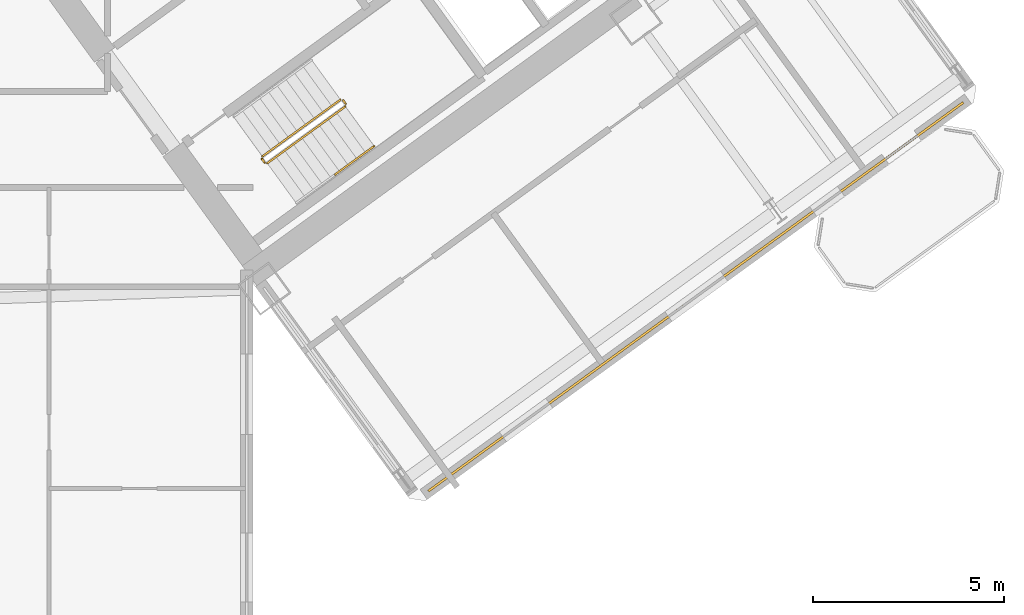
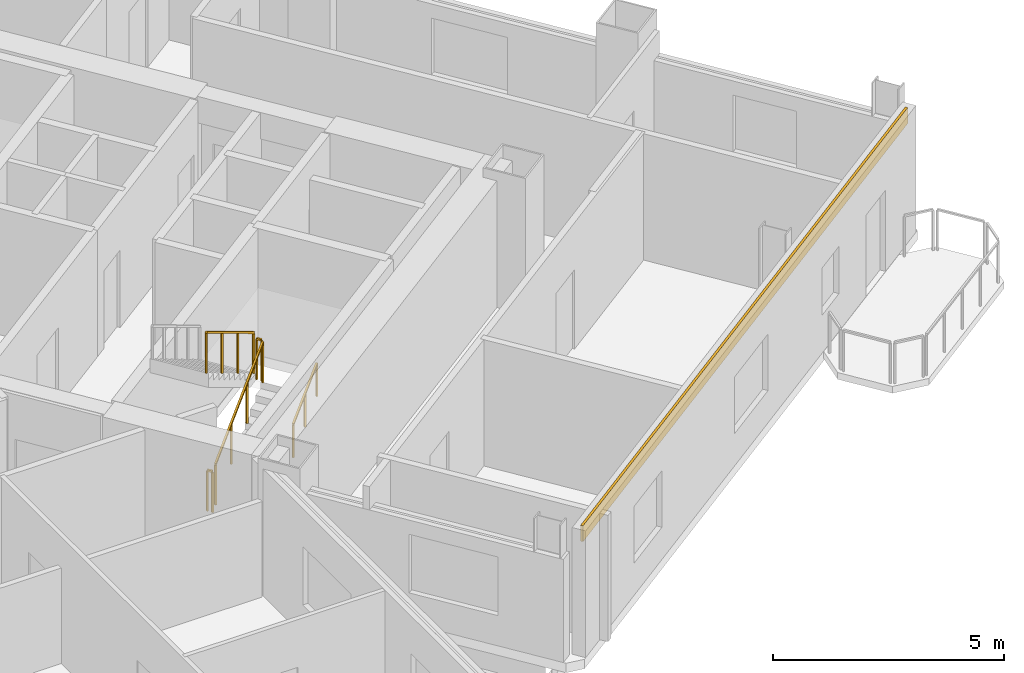
# One storey, part 26 of 28: 5 railings, 1 covering.
"""IFC4 building model written with IfcOpenShell, lengths in metres."""

from ifc_helpers import new_model, si_unit, direction, frame, origin, origin_2d, place, context, subcontext, project, spatial, rectangle, extrude, source, transform, mapped, material, layer, layer_set, type_object, element, save


model = new_model("IFC4")

# Units and contexts
model_context = context("Model", 3, precision=1e-05, world=origin(), true_north=direction((0.0, 1.0)))
body_context = subcontext(model_context, "Body", "Model", "MODEL_VIEW")
ifc_project = project(units=[si_unit("LENGTHUNIT", "METRE"), si_unit("AREAUNIT", "SQUARE_METRE"), si_unit("VOLUMEUNIT", "CUBIC_METRE"), si_unit("PLANEANGLEUNIT", "RADIAN"), si_unit("MASSUNIT", "GRAM", prefix="KILO")], contexts=[model_context])

# Site, building, storey
site_placement = place(None, origin())
site = spatial("IfcSite", under=ifc_project, at=site_placement, CompositionType="ELEMENT")
building_placement = place(site_placement, origin())
building = spatial("IfcBuilding", under=site, at=building_placement, Name="Tlacorven Tower", CompositionType="ELEMENT")
storey_placement = place(building_placement, frame((0.0, 0.0, 34.800048828125)))
storey = spatial("IfcBuildingStorey", under=building, at=storey_placement, Name="L08", CompositionType="ELEMENT", Elevation=34.800048828125)

# Covering
ifc_material_1 = material(Name="Precast concrete C45/55", Category="concrete")
ifc_layer = layer(ifc_material_1, 0.06005859375)
ifc_layer_set = layer_set([ifc_layer], Name="Precast concrete C45/55")
covering_type = type_object("IfcCoveringType", Name="CV-CLD-TERC", PredefinedType="CLADDING", material=ifc_layer_set)
shared_shape_1 = source(origin(), body_context, "Body", "SweptSolid", [
    extrude(rectangle(XDim=17.287353515625, YDim=0.06005859375, at=origin_2d()), origin(), (0.0, 0.0, 1.0), 0.419921875),
])
covering_placement = place(storey_placement, frame((63.9833984375, 12.562255859375, 2.929931640625), z_axis=(0.0, 0.0, 1.0), x_axis=(-0.809017097486, -0.587785110372, 0.0)))
element("IfcCovering", 1, at=covering_placement, inside=storey, type_object=covering_type, Name="L08 Masonry-Frame Spandrel Cladding 6", PredefinedType="CLADDING", context=body_context, shape_type="MappedRepresentation", body=[
    mapped(shared_shape_1, transform((0.0, 0.0, 0.0), scale=1.0)),
])

# Railings
ifc_material_2 = material(Name="Aluminium and painted steel balustrade", Category="steel")
railing_type_1 = type_object("IfcRailingType", Name="RL-GRD-1100", PredefinedType="GUARDRAIL", material=ifc_material_2)
shared_shape_2 = source(origin(), body_context, "Body", "SweptSolid", [
    extrude(rectangle(XDim=0.048095703125, YDim=0.048095703125, at=origin_2d()), frame((0.0, 0.0, 1.076171875), z_axis=(-0.587567097037, 0.809175448515, 0.0), x_axis=(-0.809175448515, -0.587567097037, 0.0)), (0.0, 0.0, 1.0), 0.1201171875),
    extrude(rectangle(XDim=0.0419921875, YDim=0.0419921875, at=origin_2d()), origin(), (0.0, 0.0, 1.0), 1.052001953125),
    extrude(rectangle(XDim=0.0419921875, YDim=0.0419921875, at=origin_2d()), frame((-0.070556640625, 0.09716796875, 0.0)), (0.0, 0.0, 1.0), 1.052001953125),
])
for number, where, name in (
    (2, (54.8310546875, 17.605712890625, 1.800048828125), "L08 ST-E2 stair guard 2"),
    (3, (52.71142578125, 16.065673828125, 0.0), "L08 ST-E2 stair guard 4"),
):
    element("IfcRailing", number, at=place(storey_placement, frame(where)), inside=storey, type_object=railing_type_1, Name=name, PredefinedType="GUARDRAIL", context=body_context, shape_type="MappedRepresentation", body=[
        mapped(shared_shape_2, transform((0.0, 0.0, 0.0), scale=1.0)),
    ])
railing_type_2 = type_object("IfcRailingType", Name="RL-HND-0900", PredefinedType="HANDRAIL", material=ifc_material_2)
shared_shape_3 = source(origin(), body_context, "Body", "SweptSolid", [
    extrude(rectangle(XDim=0.048095703125, YDim=0.048095703125, at=origin_2d()), frame((0.0, 0.0, 0.8759765625), z_axis=(0.680516055757, 0.494372502302, 0.540826891737), x_axis=(-0.587745292299, 0.809046025502, 0.0)), (0.0, 0.0, 1.0), 1.497802734375),
    extrude(rectangle(XDim=0.0419921875, YDim=0.0419921875, at=origin_2d()), origin(), (0.0, 0.0, 1.0), 0.851806640625),
    extrude(rectangle(XDim=0.0419921875, YDim=0.0419921875, at=origin_2d()), frame((0.509765625, 0.3701171875, 0.405029296875)), (0.0, 0.0, 1.0), 0.851806640625),
    extrude(rectangle(XDim=0.0419921875, YDim=0.0419921875, at=origin_2d()), frame((1.019287109375, 0.740478515625, 0.81005859375)), (0.0, 0.0, 1.0), 0.851806640625),
])
railing_1_placement = place(storey_placement, frame((54.552978515625, 15.759765625, 0.989990234375)))
element("IfcRailing", 4, at=railing_1_placement, inside=storey, type_object=railing_type_2, Name="L08 ST-E2 stair handrail 2", PredefinedType="HANDRAIL", context=body_context, shape_type="MappedRepresentation", body=[
    mapped(shared_shape_3, transform((0.0, 0.0, 0.0), scale=1.0)),
])
shared_shape_4 = source(origin(), body_context, "Body", "SweptSolid", [
    extrude(rectangle(XDim=0.048095703125, YDim=0.048095703125, at=origin_2d()), frame((0.0, 0.0, 1.076171875), z_axis=(0.680532390839, 0.494406659708, 0.54077511024), x_axis=(-0.587762637553, 0.809033424462, 0.0)), (0.0, 0.0, 1.0), 2.995849609375),
    extrude(rectangle(XDim=0.0419921875, YDim=0.0419921875, at=origin_2d()), origin(), (0.0, 0.0, 1.0), 1.052001953125),
    extrude(rectangle(XDim=0.0419921875, YDim=0.0419921875, at=origin_2d()), frame((0.6796875, 0.49365234375, 0.5400390625)), (0.0, 0.0, 1.0), 1.052001953125),
    extrude(rectangle(XDim=0.0419921875, YDim=0.0419921875, at=origin_2d()), frame((1.359130859375, 0.987548828125, 1.080078125)), (0.0, 0.0, 1.0), 1.052001953125),
    extrude(rectangle(XDim=0.0419921875, YDim=0.0419921875, at=origin_2d()), frame((2.038818359375, 1.481201171875, 1.6201171875)), (0.0, 0.0, 1.0), 1.052001953125),
])
railing_2_placement = place(storey_placement, frame((52.78125, 16.0546875, 0.179931640625)))
element("IfcRailing", 5, at=railing_2_placement, inside=storey, type_object=railing_type_1, Name="L08 ST-E2 stair guard 1", PredefinedType="GUARDRAIL", context=body_context, shape_type="MappedRepresentation", body=[
    mapped(shared_shape_4, transform((0.0, 0.0, 0.0), scale=1.0)),
])
shared_shape_5 = source(origin(), body_context, "Body", "SweptSolid", [
    extrude(rectangle(XDim=0.048095703125, YDim=0.048095703125, at=origin_2d()), frame((0.0, 0.0, 1.076171875), z_axis=(-0.680562380517, -0.494428447203, 0.540717446381), x_axis=(0.587762637553, -0.809033424462, 0.0)), (0.0, 0.0, 1.0), 2.995849609375),
    extrude(rectangle(XDim=0.0419921875, YDim=0.0419921875, at=origin_2d()), origin(), (0.0, 0.0, 1.0), 1.052001953125),
    extrude(rectangle(XDim=0.0419921875, YDim=0.0419921875, at=origin_2d()), frame((-0.6796875, -0.49365234375, 0.5400390625)), (0.0, 0.0, 1.0), 1.052001953125),
    extrude(rectangle(XDim=0.0419921875, YDim=0.0419921875, at=origin_2d()), frame((-1.359130859375, -0.987548828125, 1.079833984375)), (0.0, 0.0, 1.0), 1.052001953125),
    extrude(rectangle(XDim=0.0419921875, YDim=0.0419921875, at=origin_2d()), frame((-2.038818359375, -1.481201171875, 1.619873046875)), (0.0, 0.0, 1.0), 1.052001953125),
])
railing_3_placement = place(storey_placement, frame((54.690673828125, 17.7138671875, 1.97998046875)))
element("IfcRailing", 6, at=railing_3_placement, inside=storey, type_object=railing_type_1, Name="L08 ST-E2 stair guard 3", PredefinedType="GUARDRAIL", context=body_context, shape_type="MappedRepresentation", body=[
    mapped(shared_shape_5, transform((0.0, 0.0, 0.0), scale=1.0)),
])

save(model, "model.ifc")
